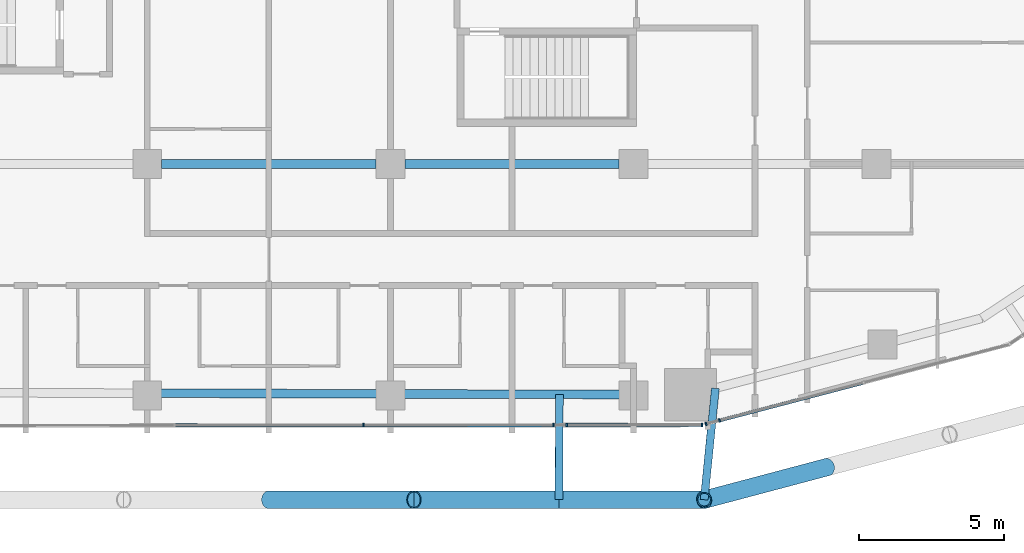
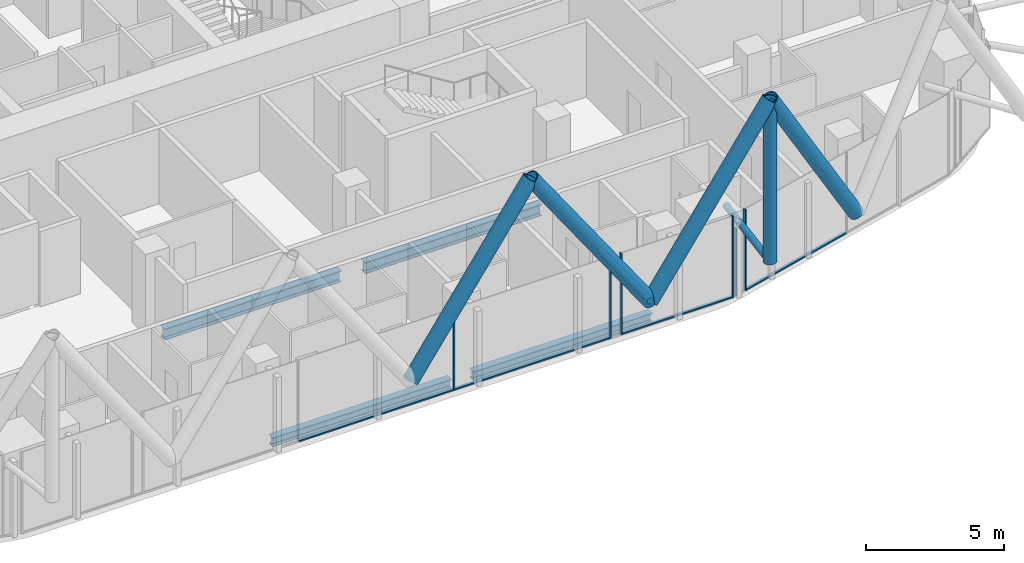
# One storey, part 5 of 38: 17 members, 4 beams, 5 elements without a shape of their own.
"""IFC4 building model written with IfcOpenShell, lengths in metres."""

import ifcopenshell
import ifcopenshell.guid

model = None  # the IFC model being written
_history = None  # IfcOwnerHistory: only IFC2X3 demands one
_inside = {}  # id of a spatial element -> (the spatial element, [elements in it])
_under = {}  # id of a project, library or spatial element -> (it, [spatial elements below it])
_declared = {}  # id of a project -> (the project, [libraries it declares])
_typed = {}  # id of a type object -> (the type object, [elements of that type])
_made_of = {}  # id of a material, layer set ... -> (it, [elements and type objects made of it])


def new_model(schema):
    """Start an empty IFC model of exactly this schema.

    Asked for "IFC4X3", IfcOpenShell would pick the latest addendum, in which some entities
    have other attributes; the version numbers below select the first issue.
    IFC2X3 requires an IfcOwnerHistory on every rooted entity: one is made here for all.
    """
    global model, _history
    if schema == "IFC4X3":
        model = ifcopenshell.file(schema_version=(4, 3, 0, 0))
    else:
        model = ifcopenshell.file(schema=schema)
    _inside.clear()
    _under.clear()
    _declared.clear()
    _typed.clear()
    _made_of.clear()
    _history = None
    if model.schema == "IFC2X3":
        org = make("IfcOrganization", Name="unknown")
        user = make(
            "IfcPersonAndOrganization",
            ThePerson=make("IfcPerson", FamilyName="unknown"),
            TheOrganization=org,
        )
        app = make(
            "IfcApplication",
            ApplicationDeveloper=org,
            Version="unknown",
            ApplicationFullName="unknown",
            ApplicationIdentifier="unknown",
        )
        _history = make(
            "IfcOwnerHistory",
            OwningUser=user,
            OwningApplication=app,
            ChangeAction="ADDED",
            CreationDate=0,
        )
    return model


def make(cls, **values):
    """One entity of the class cls with the attributes given. An attribute that is None is left unset."""
    return model.create_entity(
        cls, **{name: value for name, value in values.items() if value is not None}
    )


def rooted(cls, **values):
    """An entity with a GlobalId (a new one), such as an element, a storey or a relation."""
    return make(cls, GlobalId=ifcopenshell.guid.new(), OwnerHistory=_history, **values)


def si_unit(unit_type, name, prefix=None):
    """IfcSIUnit, for example si_unit("LENGTHUNIT", "METRE", prefix="MILLI")."""
    return make("IfcSIUnit", UnitType=unit_type, Prefix=prefix, Name=name)


def assignment(units):
    """IfcUnitAssignment: the units of a project."""
    return None if units is None else make("IfcUnitAssignment", Units=units)


def point(xyz):
    """IfcCartesianPoint."""
    return None if xyz is None else make("IfcCartesianPoint", Coordinates=xyz)


def direction(xyz):
    """IfcDirection."""
    return None if xyz is None else make("IfcDirection", DirectionRatios=xyz)


def frame(location, z_axis=None, x_axis=None):
    """IfcAxis2Placement3D, a coordinate frame: its origin and axes. An axis left out is left unset."""
    return make(
        "IfcAxis2Placement3D",
        Location=point(location),
        Axis=direction(z_axis),
        RefDirection=direction(x_axis),
    )


def frame_2d(location, x_axis=None):
    """IfcAxis2Placement2D, a coordinate frame in the plane: its origin and x axis."""
    return make(
        "IfcAxis2Placement2D", Location=point(location), RefDirection=direction(x_axis)
    )


def origin():
    """The frame at (0, 0, 0) with its axes left unset."""
    return frame((0.0, 0.0, 0.0))


def origin_2d():
    """The frame at (0, 0) in the plane with its x axis left unset."""
    return frame_2d((0.0, 0.0))


def place(relative_to, where):
    """IfcLocalPlacement: puts the frame where relative to a parent placement (None: the world)."""
    return make(
        "IfcLocalPlacement", PlacementRelTo=relative_to, RelativePlacement=where
    )


def context(
    kind, dimensions, precision=None, world=None, true_north=None, identifier=None
):
    """IfcGeometricRepresentationContext, for example the 3D "Model" context."""
    return make(
        "IfcGeometricRepresentationContext",
        ContextIdentifier=identifier,
        ContextType=kind,
        CoordinateSpaceDimension=dimensions,
        Precision=precision,
        WorldCoordinateSystem=world,
        TrueNorth=true_north,
    )


def subcontext(parent, identifier, kind, view, scale=None):
    """IfcGeometricRepresentationSubContext, for example "Body" below "Model"."""
    return make(
        "IfcGeometricRepresentationSubContext",
        ContextIdentifier=identifier,
        ContextType=kind,
        ParentContext=parent,
        TargetScale=scale,
        TargetView=view,
    )


def project(units=None, contexts=None):
    """IfcProject with its units and contexts."""
    return rooted(
        "IfcProject",
        Name="project",
        RepresentationContexts=contexts,
        UnitsInContext=assignment(units),
    )


def spatial(cls, under=None, at=None, **own):
    """A site, building, storey or space (cls), placed at a placement, below another one or the project."""
    s = rooted(cls, ObjectPlacement=at, **own)
    if under is not None:
        _under.setdefault(under.id(), (under, []))[1].append(s)
    return s


def profile(cls, at=None, kind="AREA", **sizes):
    """A parametric profile (cls). Its sizes go by their IFC names, for example OverallWidth=200.0."""
    return make(cls, ProfileType=kind, Position=at, **sizes)


def rectangle(**sizes):
    """IfcRectangleProfileDef."""
    return profile("IfcRectangleProfileDef", **sizes)


def hollow_circle(**sizes):
    """IfcCircleHollowProfileDef."""
    return profile("IfcCircleHollowProfileDef", **sizes)


def i_section(**sizes):
    """IfcIShapeProfileDef."""
    return profile("IfcIShapeProfileDef", **sizes)


def extrude(swept, where, along, depth):
    """IfcExtrudedAreaSolid: the profile swept, set in the frame where, extruded along a direction by depth."""
    return make(
        "IfcExtrudedAreaSolid",
        SweptArea=swept,
        Position=where,
        ExtrudedDirection=direction(along),
        Depth=depth,
    )


def shape(context_of_items, identifier, shape_type, items):
    """IfcShapeRepresentation: the items that make up one representation, for example the "Body"."""
    return make(
        "IfcShapeRepresentation",
        ContextOfItems=context_of_items,
        RepresentationIdentifier=identifier,
        RepresentationType=shape_type,
        Items=items,
    )


def material(Name=None, Category=None):
    """IfcMaterial."""
    return make("IfcMaterial", Name=Name, Category=Category)


def layer(
    of_material, thickness, ventilated=None, Name=None, Category=None, Priority=None
):
    """IfcMaterialLayer: one layer of a wall or slab, of a material (None: an air gap)."""
    return make(
        "IfcMaterialLayer",
        Material=of_material,
        LayerThickness=thickness,
        IsVentilated=ventilated,
        Name=Name,
        Category=Category,
        Priority=Priority,
    )


def layer_set(layers, Name=None):
    """IfcMaterialLayerSet."""
    return make("IfcMaterialLayerSet", MaterialLayers=layers, LayerSetName=Name)


def material_profile(
    of_material, cross_section, Name=None, Category=None, Priority=None
):
    """IfcMaterialProfile: a cross section and its material."""
    return make(
        "IfcMaterialProfile",
        Name=Name,
        Material=of_material,
        Profile=cross_section,
        Priority=Priority,
        Category=Category,
    )


def profile_set(profiles, Name=None, composite=None):
    """IfcMaterialProfileSet."""
    return make(
        "IfcMaterialProfileSet",
        Name=Name,
        MaterialProfiles=profiles,
        CompositeProfile=composite,
    )


def made_of(thing, what):
    """Note that an element or type object is made of a material, layer set ...; save() writes the relation."""
    if what is not None:
        _made_of.setdefault(what.id(), (what, []))[1].append(thing)
    return thing


def type_object(cls, material=None, **own):
    """A type object (cls), such as IfcWallType, which elements share."""
    return made_of(rooted(cls, **own), material)


def element(
    cls,
    number,
    at=None,
    inside=None,
    cuts=None,
    type_object=None,
    material=None,
    context=None,
    identifier="Body",
    shape_type=None,
    held_by="IfcProductDefinitionShape",
    body=None,
    shapes=None,
    **own,
):
    """One element of the class cls, such as IfcWall. Its Tag is "e" and its number.

    at: its placement. inside: the storey or other place that contains it. cuts: it is an
    opening in that element (IfcRelVoidsElement). A single representation is given by context,
    identifier, shape_type and body (its items); several are given by shapes. held_by: the class
    of the entity that holds the representations. save() writes the other relations.
    """
    e = rooted(cls, Tag="e%d" % number, ObjectPlacement=at, **own)
    if body is not None:
        shapes = [shape(context, identifier, shape_type, body)]
    if shapes is not None:
        e.Representation = make(held_by, Representations=shapes)
    if inside is not None:
        _inside.setdefault(inside.id(), (inside, []))[1].append(e)
    if cuts is not None:
        rooted(
            "IfcRelVoidsElement", RelatingBuildingElement=cuts, RelatedOpeningElement=e
        )
    if type_object is not None:
        _typed.setdefault(type_object.id(), (type_object, []))[1].append(e)
    return made_of(e, material)


def aggregate(whole, parts):
    """IfcRelAggregates: a whole, such as a stair, and the parts it consists of."""
    return rooted("IfcRelAggregates", RelatingObject=whole, RelatedObjects=parts)


def save(model, path):
    """Write the relations noted so far, then the file.

    IfcRelAggregates (storeys below a building ...), IfcRelContainedInSpatialStructure (elements
    in a storey), IfcRelDefinesByType, IfcRelAssociatesMaterial and IfcRelDeclares: one each for
    every whole, place, type object, material and project.
    """
    for whole, parts in _under.values():
        aggregate(whole, parts)
    for where, things in _inside.values():
        rooted(
            "IfcRelContainedInSpatialStructure",
            RelatedElements=things,
            RelatingStructure=where,
        )
    for kind, things in _typed.values():
        rooted("IfcRelDefinesByType", RelatedObjects=things, RelatingType=kind)
    for what, things in _made_of.values():
        rooted("IfcRelAssociatesMaterial", RelatedObjects=things, RelatingMaterial=what)
    for by, libraries in _declared.values():
        rooted("IfcRelDeclares", RelatingContext=by, RelatedDefinitions=libraries)
    model.write(path)


model = new_model("IFC4")

# Units and contexts
model_context = context("Model", 3, precision=1e-05, world=origin(), true_north=direction((0.0, 1.0)))
body_context = subcontext(model_context, "Body", "Model", "MODEL_VIEW")
ifc_project = project(units=[si_unit("LENGTHUNIT", "METRE"), si_unit("AREAUNIT", "SQUARE_METRE"), si_unit("VOLUMEUNIT", "CUBIC_METRE"), si_unit("PLANEANGLEUNIT", "RADIAN"), si_unit("MASSUNIT", "GRAM", prefix="KILO")], contexts=[model_context])

# Site, building, storey
site_placement = place(None, origin())
site = spatial("IfcSite", under=ifc_project, at=site_placement, CompositionType="ELEMENT")
building_placement = place(site_placement, origin())
building = spatial("IfcBuilding", under=site, at=building_placement, Name="Marenta Gate Hotel Tower", CompositionType="ELEMENT")
storey_placement = place(building_placement, frame((0.0, 0.0, 40.10009765625)))
storey = spatial("IfcBuildingStorey", under=building, at=storey_placement, Name="L07", CompositionType="ELEMENT", Elevation=40.10009765625)

# Members
ifc_material_1 = material(Name="Steel S355J2W", Category="steel")
ifc_material_profile_1 = material_profile(ifc_material_1, hollow_circle(Radius=0.25390625, WallThickness=0.0400390625, at=origin_2d()), Name="CHS 508x40")
ifc_profile_set_1 = profile_set([ifc_material_profile_1], Name="Steel S355J2W")
member_type_1 = type_object("IfcMemberType", Name="Diagrid corner post Z1 CHS 508x40", PredefinedType="POST", material=ifc_profile_set_1)
member_1_placement = place(storey_placement, frame((15.0390625, -20.0, 3.139892578125), z_axis=(0.0, 0.0, 1.0), x_axis=(1.0, 0.0, 0.0)))
element("IfcMember", 1, at=member_1_placement, inside=storey, type_object=member_type_1, Name="L07-DR-3", PredefinedType="POST", context=body_context, shape_type="SweptSolid", body=[
    extrude(hollow_circle(Radius=0.25390625, WallThickness=0.0400390625, at=origin_2d()), origin(), (0.0, 0.0, 1.0), 7.199951171875),
])
ifc_material_2 = material(Name="Steel S355J2W", Category="steel")
ifc_material_profile_2 = material_profile(ifc_material_2, hollow_circle(Radius=0.304931640625, WallThickness=0.0400390625, at=origin_2d()), Name="CHS 610x40")
ifc_profile_set_2 = profile_set([ifc_material_profile_2], Name="Steel S355J2W")
member_type_2 = type_object("IfcMemberType", Name="Diagrid diagonal Z1 CHS 610x40", PredefinedType="BRACE", material=ifc_profile_set_2)
member_2_placement = place(storey_placement, frame((19.279296875, -18.875, 3.139892578125), z_axis=(-0.502924018666, -0.133433548941, 0.853968921838), x_axis=(0.256443187528, -0.96655930577, 0.0)))
element("IfcMember", 2, at=member_2_placement, inside=storey, type_object=member_type_2, Name="L07-DG-14", PredefinedType="BRACE", context=body_context, shape_type="SweptSolid", body=[
    extrude(hollow_circle(Radius=0.304931640625, WallThickness=0.0400390625, at=origin_2d()), origin(), (0.0, 0.0, 1.0), 8.43115234375),
])
member_3_placement = place(storey_placement, frame((10.02587890625, -20.0, 3.139892578125), z_axis=(0.571411767966, 0.0, 0.820663506822), x_axis=(0.0, 1.0, 0.0)))
element("IfcMember", 3, at=member_3_placement, inside=storey, type_object=member_type_2, Name="L07-DG-15", PredefinedType="BRACE", context=body_context, shape_type="SweptSolid", body=[
    extrude(hollow_circle(Radius=0.304931640625, WallThickness=0.0400390625, at=origin_2d()), origin(), (0.0, 0.0, 1.0), 8.7734375),
])
for number, where, z_axis, x_axis, name in (
    (4, (10.02587890625, -20.0, 3.139892578125), (-0.571393025954, 0.0, 0.820676556197), (0.0, -1.0, 0.0), "L07-DG-16"),
    (5, (0.0, -20.0, 3.139892578125), (0.571393025954, 0.0, 0.820676556197), (0.0, 1.0, 0.0), "L07-DG-17"),
):
    element("IfcMember", number, at=place(storey_placement, frame(where, z_axis=z_axis, x_axis=x_axis)), inside=storey, type_object=member_type_2, Name=name, PredefinedType="BRACE", context=body_context, shape_type="SweptSolid", body=[
        extrude(hollow_circle(Radius=0.304931640625, WallThickness=0.0400390625, at=origin_2d()), origin(), (0.0, 0.0, 1.0), 8.773193359375),
    ])

# Beams
ifc_material_3 = material(Name="Steel S355", Category="steel")
ifc_material_profile_3 = material_profile(ifc_material_3, i_section(OverallWidth=0.300048828125, OverallDepth=0.39990234375, WebThickness=0.013427734375, FlangeThickness=0.02392578125, FilletRadius=0.027099609375, at=origin_2d()), Name="HEB 400")
ifc_profile_set_3 = profile_set([ifc_material_profile_3], Name="Steel S355")
beam_type_1 = type_object("IfcBeamType", Name="Edge beam HEB 400", PredefinedType="SPANDREL", material=ifc_profile_set_3)
for number, where, z_axis, x_axis, name in (
    (6, (12.139892578125, -16.365966796875, -0.460205078125), (-0.99999624158, 0.002741683018, 0.0), (-0.002741683018, -0.99999624158, 0.0), "L07-EB-32"),
    (7, (3.739990234375, -16.3427734375, -0.460205078125), (-0.99999624158, 0.002741683018, 0.0), (-0.002741683018, -0.99999624158, 0.0), "L07-EB-33"),
):
    element("IfcBeam", number, at=place(storey_placement, frame(where, z_axis=z_axis, x_axis=x_axis)), inside=storey, type_object=beam_type_1, Name=name, PredefinedType="SPANDREL", context=body_context, shape_type="SweptSolid", body=[
        extrude(i_section(OverallWidth=0.300048828125, OverallDepth=0.39990234375, WebThickness=0.013427734375, FlangeThickness=0.02392578125, FilletRadius=0.027099609375, at=origin_2d()), origin(), (0.0, 0.0, 1.0), 7.47998046875),
    ])

# Members
ifc_material_4 = material(Name="Steel S355J2W", Category="steel")
ifc_material_profile_4 = material_profile(ifc_material_4, hollow_circle(Radius=0.136474609375, WallThickness=0.012451171875, at=origin_2d()), Name="CHS 273x12.5")
ifc_profile_set_4 = profile_set([ifc_material_profile_4], Name="Steel S355J2W")
member_type_3 = type_object("IfcMemberType", Name="Floor tie CHS 273x12.5", PredefinedType="STRUT", material=ifc_profile_set_4)
member_4_placement = place(storey_placement, frame((15.0390625, -20.0, 3.139892578125), z_axis=(0.100354093407, 0.994951785735, 0.0), x_axis=(-0.994951785735, 0.100354093407, 0.0)))
element("IfcMember", 8, at=member_4_placement, inside=storey, type_object=member_type_3, Name="L07-DR-13", PredefinedType="STRUT", context=body_context, shape_type="SweptSolid", body=[
    extrude(hollow_circle(Radius=0.136474609375, WallThickness=0.012451171875, at=origin_2d()), origin(), (0.0, 0.0, 1.0), 3.86572265625),
])
member_5_placement = place(storey_placement, frame((10.02587890625, -20.0, 3.139892578125), z_axis=(0.002755180726, 0.999996204482, 0.0), x_axis=(-0.999996204482, 0.002755180726, 0.0)))
element("IfcMember", 9, at=member_5_placement, inside=storey, type_object=member_type_3, Name="L07-DR-14", PredefinedType="STRUT", context=body_context, shape_type="SweptSolid", body=[
    extrude(hollow_circle(Radius=0.136474609375, WallThickness=0.012451171875, at=origin_2d()), origin(), (0.0, 0.0, 1.0), 3.633056640625),
])

# Beams
ifc_material_5 = material(Name="Steel S355", Category="steel")
ifc_material_profile_5 = material_profile(ifc_material_5, i_section(OverallWidth=0.300048828125, OverallDepth=0.5, WebThickness=0.014404296875, FlangeThickness=0.028076171875, FilletRadius=0.027099609375, at=origin_2d()), Name="HEB 500")
ifc_profile_set_5 = profile_set([ifc_material_profile_5], Name="Steel S355")
beam_type_2 = type_object("IfcBeamType", Name="Girder HEB 500", PredefinedType="BEAM", material=ifc_profile_set_5)
beam_1_placement = place(storey_placement, frame((-3.699951171875, -8.39990234375, -0.510009765625), z_axis=(1.0, 0.0, 0.0), x_axis=(0.0, 1.0, 0.0)))
element("IfcBeam", 10, at=beam_1_placement, inside=storey, type_object=beam_type_2, Name="L07-GD-4", PredefinedType="BEAM", context=body_context, shape_type="SweptSolid", body=[
    extrude(i_section(OverallWidth=0.300048828125, OverallDepth=0.5, WebThickness=0.014404296875, FlangeThickness=0.028076171875, FilletRadius=0.027099609375, at=origin_2d()), origin(), (0.0, 0.0, 1.0), 7.39990234375),
])
beam_2_placement = place(storey_placement, frame((4.699951171875, -8.39990234375, -0.510009765625), z_axis=(1.0, 0.0, 0.0), x_axis=(0.0, 1.0, 0.0)))
element("IfcBeam", 11, at=beam_2_placement, inside=storey, type_object=beam_type_2, Name="L07-GD-5", PredefinedType="BEAM", context=body_context, shape_type="SweptSolid", body=[
    extrude(i_section(OverallWidth=0.300048828125, OverallDepth=0.5, WebThickness=0.014404296875, FlangeThickness=0.028076171875, FilletRadius=0.027099609375, at=origin_2d()), origin(), (0.0, 0.0, 1.0), 7.400146484375),
])

# Curtain wall, member
ifc_material_6 = material(Name="Tinted insulated glass in bronze anodised frame", Category="glass")
ifc_layer = layer(ifc_material_6, 0.1201171875)
ifc_layer_set = layer_set([ifc_layer], Name="Tinted insulated glass in bronze anodised frame")
curtain_wall_type = type_object("IfcCurtainWallType", Name="Tower unitised curtain wall CW1", PredefinedType="NOTDEFINED", material=ifc_layer_set)
curtain_wall_1_placement = place(storey_placement, origin())
curtain_wall_1 = element("IfcCurtainWall", 12, at=curtain_wall_1_placement, inside=storey, type_object=curtain_wall_type, Name="CW1 run G20", PredefinedType="NOTDEFINED")
ifc_material_7 = material(Name="Bronze anodised aluminium", Category="aluminium")
ifc_material_profile_6 = material_profile(ifc_material_7, rectangle(XDim=0.1201171875, YDim=0.06005859375, at=origin_2d()), Name="Mullion CW1 60x120 bronze anodised aluminium")
ifc_profile_set_6 = profile_set([ifc_material_profile_6], Name="Bronze anodised aluminium")
member_type_4 = type_object("IfcMemberType", Name="Mullion CW1 60x120 bronze anodised aluminium", PredefinedType="MULLION", material=ifc_profile_set_6)
member_6_placement = place(storey_placement, frame((3.273681640625, -17.4267578125, 0.0), z_axis=(0.0, 0.0, 1.0), x_axis=(-0.001163317936, 0.999999323345, 0.0)))
member_6 = element("IfcMember", 13, at=member_6_placement, type_object=member_type_4, Name="CW1 mullion 3", PredefinedType="MULLION", context=body_context, shape_type="SweptSolid", body=[
    extrude(rectangle(XDim=0.1201171875, YDim=0.06005859375, at=origin_2d()), origin(), (0.0, 0.0, 1.0), 3.599853515625),
])

curtain_wall_2_placement = place(storey_placement, origin())
curtain_wall_2 = element("IfcCurtainWall", 14, at=curtain_wall_2_placement, inside=storey, type_object=curtain_wall_type, Name="CW1 run G21", PredefinedType="NOTDEFINED")
member_7_placement = place(storey_placement, frame((9.836669921875, -17.4189453125, 0.0), z_axis=(0.0, 0.0, 1.0), x_axis=(-0.001103752086, 0.999999390865, 0.0)))
member_7 = element("IfcMember", 15, at=member_7_placement, type_object=member_type_4, Name="CW1 mullion 1", PredefinedType="MULLION", context=body_context, shape_type="SweptSolid", body=[
    extrude(rectangle(XDim=0.1201171875, YDim=0.06005859375, at=origin_2d()), origin(), (0.0, 0.0, 1.0), 3.00048828125),
])
aggregate(curtain_wall_2, [member_7])

# Curtain wall, members
curtain_wall_3_placement = place(storey_placement, origin())
curtain_wall_3 = element("IfcCurtainWall", 16, at=curtain_wall_3_placement, inside=storey, type_object=curtain_wall_type, Name="CW1 run G22", PredefinedType="NOTDEFINED")
member_8_placement = place(storey_placement, frame((10.28955078125, -17.41845703125, 0.0), z_axis=(0.0, 0.0, 1.0), x_axis=(-0.001161782868, 0.99999932513, 0.0)))
member_8 = element("IfcMember", 17, at=member_8_placement, type_object=member_type_4, Name="CW1 mullion 1", PredefinedType="MULLION", context=body_context, shape_type="SweptSolid", body=[
    extrude(rectangle(XDim=0.1201171875, YDim=0.06005859375, at=origin_2d()), origin(), (0.0, 0.0, 1.0), 3.599853515625),
])
member_9_placement = place(storey_placement, frame((14.963623046875, -17.4130859375, 0.0), z_axis=(0.0, 0.0, 1.0), x_axis=(-0.001161782868, 0.99999932513, 0.0)))
member_9 = element("IfcMember", 18, at=member_9_placement, type_object=member_type_4, Name="CW1 mullion 2", PredefinedType="MULLION", context=body_context, shape_type="SweptSolid", body=[
    extrude(rectangle(XDim=0.1201171875, YDim=0.06005859375, at=origin_2d()), origin(), (0.0, 0.0, 1.0), 3.599853515625),
])

# Curtain wall, member
curtain_wall_4_placement = place(storey_placement, origin())
curtain_wall_4 = element("IfcCurtainWall", 19, at=curtain_wall_4_placement, inside=storey, type_object=curtain_wall_type, Name="CW1 run G23", PredefinedType="NOTDEFINED")
member_10_placement = place(storey_placement, frame((15.103515625, -17.38427734375, 0.0), z_axis=(0.0, 0.0, 1.0), x_axis=(-0.25342392363, 0.967355319897, 0.0)))
member_10 = element("IfcMember", 20, at=member_10_placement, type_object=member_type_4, Name="CW1 mullion 1", PredefinedType="MULLION", context=body_context, shape_type="SweptSolid", body=[
    extrude(rectangle(XDim=0.1201171875, YDim=0.06005859375, at=origin_2d()), origin(), (0.0, 0.0, 1.0), 3.00048828125),
])
aggregate(curtain_wall_4, [member_10])

curtain_wall_5_placement = place(storey_placement, origin())
curtain_wall_5 = element("IfcCurtainWall", 21, at=curtain_wall_5_placement, inside=storey, type_object=curtain_wall_type, Name="CW1 run G24", PredefinedType="NOTDEFINED")
member_11_placement = place(storey_placement, frame((15.571044921875, -17.26171875, 0.0), z_axis=(0.0, 0.0, 1.0), x_axis=(-0.253363691666, 0.967371097224, 0.0)))
member_11 = element("IfcMember", 22, at=member_11_placement, type_object=member_type_4, Name="CW1 mullion 1", PredefinedType="MULLION", context=body_context, shape_type="SweptSolid", body=[
    extrude(rectangle(XDim=0.1201171875, YDim=0.06005859375, at=origin_2d()), origin(), (0.0, 0.0, 1.0), 3.599853515625),
])

# Member
ifc_material_8 = material(Name="Bronze anodised aluminium", Category="aluminium")
ifc_material_profile_7 = material_profile(ifc_material_8, rectangle(XDim=0.1201171875, YDim=0.06005859375, at=origin_2d()), Name="Transom CW1 60x120 bronze anodised aluminium")
ifc_profile_set_7 = profile_set([ifc_material_profile_7], Name="Bronze anodised aluminium")
member_type_5 = type_object("IfcMemberType", Name="Transom CW1 60x120 bronze anodised aluminium", PredefinedType="USERDEFINED", material=ifc_profile_set_7)
member_12_placement = place(storey_placement, frame((-3.2294921875, -17.434326171875, 0.02978515625), z_axis=(0.999999316494, 0.001169192834, 0.0), x_axis=(-0.001169192834, 0.999999316494, 0.0)))
member_12 = element("IfcMember", 23, at=member_12_placement, type_object=member_type_5, Name="CW1 transom 2.1", ObjectType="TRANSOM", PredefinedType="USERDEFINED", context=body_context, shape_type="SweptSolid", body=[
    extrude(rectangle(XDim=0.1201171875, YDim=0.06005859375, at=origin_2d()), origin(), (0.0, 0.0, 1.0), 6.47314453125),
])

member_13_placement = place(storey_placement, frame((3.303466796875, -17.4267578125, 0.02978515625), z_axis=(0.999999322792, 0.001163793933, 0.0), x_axis=(-0.001163793933, 0.999999322792, 0.0)))
member_13 = element("IfcMember", 24, at=member_13_placement, type_object=member_type_5, Name="CW1 transom 3.1", ObjectType="TRANSOM", PredefinedType="USERDEFINED", context=body_context, shape_type="SweptSolid", body=[
    extrude(rectangle(XDim=0.1201171875, YDim=0.06005859375, at=origin_2d()), origin(), (0.0, 0.0, 1.0), 6.503173828125),
])

aggregate(curtain_wall_1, [member_6, member_12, member_13])

member_14_placement = place(storey_placement, frame((10.319580078125, -17.41845703125, 0.02978515625), z_axis=(0.999999322456, 0.001164081967, 0.0), x_axis=(-0.001164081967, 0.999999322456, 0.0)))
member_14 = element("IfcMember", 25, at=member_14_placement, type_object=member_type_5, Name="CW1 transom 1.1", ObjectType="TRANSOM", PredefinedType="USERDEFINED", context=body_context, shape_type="SweptSolid", body=[
    extrude(rectangle(XDim=0.1201171875, YDim=0.06005859375, at=origin_2d()), origin(), (0.0, 0.0, 1.0), 4.614013671875),
])

aggregate(curtain_wall_3, [member_8, member_9, member_14])

member_15_placement = place(storey_placement, frame((15.60009765625, -17.254150390625, 0.02978515625), z_axis=(0.967374461707, 0.253350845344, 0.0), x_axis=(-0.253350845344, 0.967374461707, 0.0)))
member_15 = element("IfcMember", 26, at=member_15_placement, type_object=member_type_5, Name="CW1 transom 1.1", ObjectType="TRANSOM", PredefinedType="USERDEFINED", context=body_context, shape_type="SweptSolid", body=[
    extrude(rectangle(XDim=0.1201171875, YDim=0.06005859375, at=origin_2d()), origin(), (0.0, 0.0, 1.0), 5.091796875),
])

aggregate(curtain_wall_5, [member_11, member_15])

save(model, "model.ifc")
